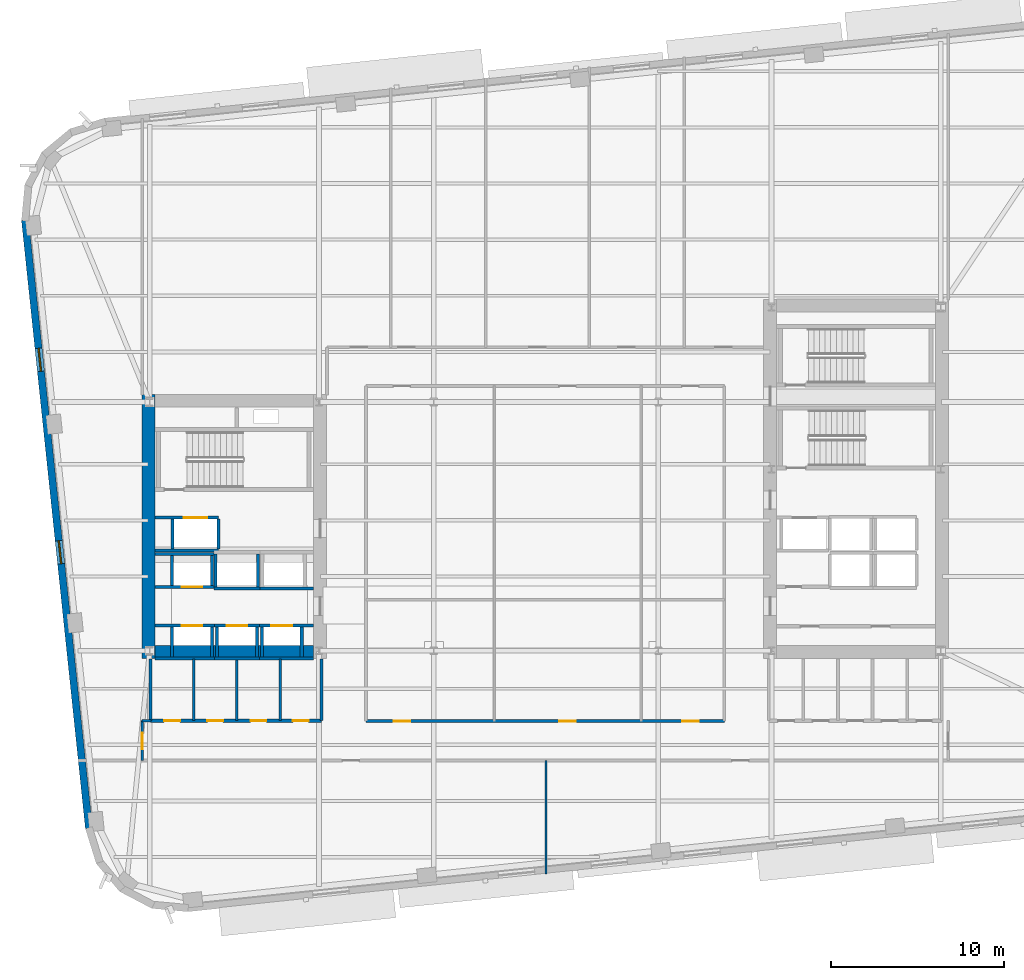
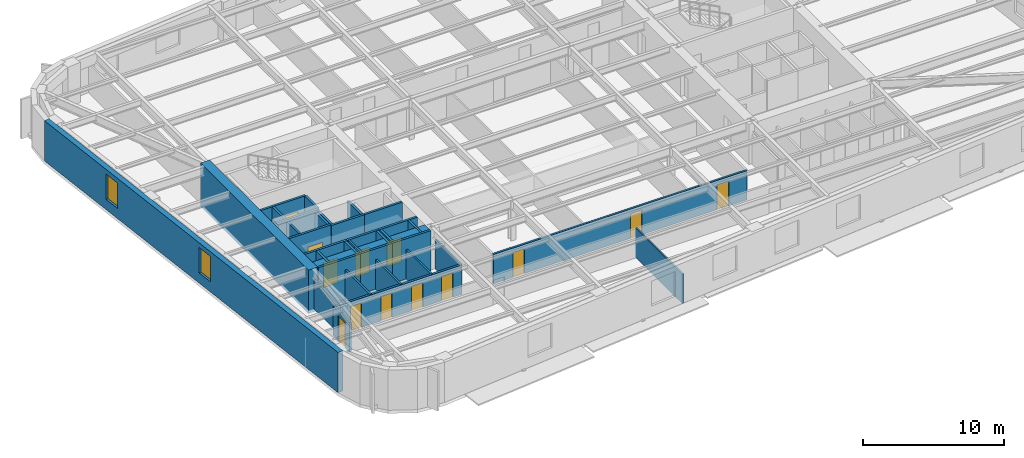
# One storey, part 4 of 15: 37 walls, 13 doors, 2 windows, 15 openings.
"""IFC4 building model written with IfcOpenShell, lengths in metres."""

from ifc_helpers import new_model, si_unit, direction, frame, frame_2d, origin, place, context, subcontext, project, spatial, rectangle, extrude, material, layer, layer_set, type_object, element, fill, save


model = new_model("IFC4")

# Units and contexts
model_context = context("Model", 3, precision=1e-05, world=origin(), true_north=direction((0.0, 1.0)))
body_context = subcontext(model_context, "Body", "Model", "MODEL_VIEW")
ifc_project = project(units=[si_unit("LENGTHUNIT", "METRE"), si_unit("AREAUNIT", "SQUARE_METRE"), si_unit("VOLUMEUNIT", "CUBIC_METRE"), si_unit("PLANEANGLEUNIT", "RADIAN"), si_unit("MASSUNIT", "GRAM", prefix="KILO")], contexts=[model_context])

# Site, building, storey
site_placement = place(None, origin())
site = spatial("IfcSite", under=ifc_project, at=site_placement, CompositionType="ELEMENT")
building_placement = place(site_placement, origin())
building = spatial("IfcBuilding", under=site, at=building_placement, Name="Kolvaren Arena Tower", CompositionType="ELEMENT")
storey_placement = place(building_placement, frame((0.0, 0.0, 142.0)))
storey = spatial("IfcBuildingStorey", under=building, at=storey_placement, Name="L33", CompositionType="ELEMENT", Elevation=142.0)

# Wall, openings, doors
ifc_material_1 = material(Name="Gypsum board acoustic assembly", Category="gypsum")
ifc_layer_1 = layer(ifc_material_1, 0.159912109375)
ifc_layer_set_1 = layer_set([ifc_layer_1], Name="Gypsum board acoustic assembly")
wall_type_1 = type_object("IfcWallType", Name="CORR-160", PredefinedType="PARTITIONING", material=ifc_layer_set_1)
wall_1_placement = place(storey_placement, frame((27.080078125, 15.3798828125, 0.0), z_axis=(0.0, 0.0, 1.0), x_axis=(1.0, 0.0, 0.0)))
wall_1 = element("IfcWall", 1, at=wall_1_placement, inside=storey, type_object=wall_type_1, Name="Interior Partition Wall (L33)", PredefinedType="PARTITIONING", context=body_context, shape_type="SweptSolid", body=[
    extrude(rectangle(XDim=20.739990234375, YDim=0.159912109375, at=frame_2d((10.3701171875, 0.0))), origin(), (0.0, 0.0, 1.0), 2.5400390625),
])
opening_1_placement = place(wall_1_placement, frame((1.594970703125, 0.0, 0.0)))
opening_1 = element("IfcOpeningElement", 2, at=opening_1_placement, cuts=wall_1, Name="Opening D05", PredefinedType="OPENING", context=body_context, shape_type="SweptSolid", body=[
    extrude(rectangle(XDim=0.949951171875, YDim=2.14990234375, at=frame_2d((0.47509765625, 1.074951171875))), frame((0.0, 0.08984375, 0.0), z_axis=(0.0, -1.0, 0.0), x_axis=(1.0, 0.0, 0.0)), (0.0, 0.0, 1.0), 0.179931640625),
])
opening_2_placement = place(wall_1_placement, frame((11.195068359375, 0.0, 0.0)))
opening_2 = element("IfcOpeningElement", 3, at=opening_2_placement, cuts=wall_1, Name="Opening D05", PredefinedType="OPENING", context=body_context, shape_type="SweptSolid", body=[
    extrude(rectangle(XDim=0.949951171875, YDim=2.14990234375, at=frame_2d((0.47509765625, 1.074951171875))), frame((0.0, 0.08984375, 0.0), z_axis=(0.0, -1.0, 0.0), x_axis=(1.0, 0.0, 0.0)), (0.0, 0.0, 1.0), 0.179931640625),
])
opening_3_placement = place(wall_1_placement, frame((18.294921875, 0.0, 0.0)))
opening_3 = element("IfcOpeningElement", 4, at=opening_3_placement, cuts=wall_1, Name="Opening D05", PredefinedType="OPENING", context=body_context, shape_type="SweptSolid", body=[
    extrude(rectangle(XDim=0.949951171875, YDim=2.14990234375, at=frame_2d((0.47509765625, 1.074951171875))), frame((0.0, 0.08984375, 0.0), z_axis=(0.0, -1.0, 0.0), x_axis=(1.0, 0.0, 0.0)), (0.0, 0.0, 1.0), 0.179931640625),
])
ifc_material_2 = material(Name="Solid-core oak acoustic office door", Category="wood")
door_type_1 = type_object("IfcDoorType", Name="DOOR-OF-095", OperationType="NOTDEFINED", PredefinedType="DOOR", material=ifc_material_2)
door_1_placement = place(opening_1_placement, origin())
door_1 = element("IfcDoor", 5, at=door_1_placement, inside=storey, type_object=door_type_1, Name="Wellness Room Door (L33)", OperationType="SINGLE_SWING_LEFT", OverallHeight=2.14990234375, OverallWidth=0.949951171875, PredefinedType="DOOR", context=body_context, shape_type="SweptSolid", body=[
    extrude(rectangle(XDim=0.949951171875, YDim=2.14990234375, at=frame_2d((0.47509765625, 1.074951171875))), frame((0.0, 0.02490234375, 0.0), z_axis=(0.0, -1.0, 0.0), x_axis=(1.0, 0.0, 0.0)), (0.0, 0.0, 1.0), 0.050048828125),
])
fill(opening_1, door_1)
door_2_placement = place(opening_2_placement, origin())
door_2 = element("IfcDoor", 6, at=door_2_placement, inside=storey, type_object=door_type_1, Name="Boardroom Door (L33)", OperationType="SINGLE_SWING_LEFT", OverallHeight=2.14990234375, OverallWidth=0.949951171875, PredefinedType="DOOR", context=body_context, shape_type="SweptSolid", body=[
    extrude(rectangle(XDim=0.949951171875, YDim=2.14990234375, at=frame_2d((0.47509765625, 1.074951171875))), frame((0.0, 0.02490234375, 0.0), z_axis=(0.0, -1.0, 0.0), x_axis=(1.0, 0.0, 0.0)), (0.0, 0.0, 1.0), 0.050048828125),
])
fill(opening_2, door_2)
door_3_placement = place(opening_3_placement, origin())
door_3 = element("IfcDoor", 7, at=door_3_placement, inside=storey, type_object=door_type_1, Name="Executive Office Door (L33)", OperationType="SINGLE_SWING_LEFT", OverallHeight=2.14990234375, OverallWidth=0.949951171875, PredefinedType="DOOR", context=body_context, shape_type="SweptSolid", body=[
    extrude(rectangle(XDim=0.949951171875, YDim=2.14990234375, at=frame_2d((0.47509765625, 1.074951171875))), frame((0.0, 0.02490234375, 0.0), z_axis=(0.0, -1.0, 0.0), x_axis=(1.0, 0.0, 0.0)), (0.0, 0.0, 1.0), 0.050048828125),
])
fill(opening_3, door_3)

# Wall, opening, door
wall_2_placement = place(storey_placement, frame((14.1201171875, 13.10009765625, 0.0), z_axis=(0.0, 0.0, 1.0), x_axis=(0.0, 1.0, 0.0)))
wall_2 = element("IfcWall", 8, at=wall_2_placement, inside=storey, type_object=wall_type_1, Name="Interior Partition Wall (L33)", PredefinedType="PARTITIONING", context=body_context, shape_type="SweptSolid", body=[
    extrude(rectangle(XDim=2.2998046875, YDim=0.159912109375, at=frame_2d((1.14990234375, 0.0))), origin(), (0.0, 0.0, 1.0), 2.5400390625),
])
opening_4_placement = place(wall_2_placement, frame((0.64990234375, 0.0, 0.0)))
opening_4 = element("IfcOpeningElement", 9, at=opening_4_placement, cuts=wall_2, Name="Opening D05", PredefinedType="OPENING", context=body_context, shape_type="SweptSolid", body=[
    extrude(rectangle(XDim=0.949951171875, YDim=2.14990234375, at=frame_2d((0.47509765625, 1.074951171875))), frame((0.0, 0.08984375, 0.0), z_axis=(0.0, -1.0, 0.0), x_axis=(1.0, 0.0, 0.0)), (0.0, 0.0, 1.0), 0.179931640625),
])
door_4_placement = place(opening_4_placement, origin())
door_4 = element("IfcDoor", 10, at=door_4_placement, inside=storey, type_object=door_type_1, Name="West Wing Office Door (L33)", OperationType="SINGLE_SWING_LEFT", OverallHeight=2.14990234375, OverallWidth=0.949951171875, PredefinedType="DOOR", context=body_context, shape_type="SweptSolid", body=[
    extrude(rectangle(XDim=0.949951171875, YDim=2.14990234375, at=frame_2d((0.47509765625, 1.074951171875))), frame((0.0, 0.02490234375, 0.0), z_axis=(0.0, -1.0, 0.0), x_axis=(1.0, 0.0, 0.0)), (0.0, 0.0, 1.0), 0.050048828125),
])
fill(opening_4, door_4)

# Walls
wall_3_placement = place(storey_placement, frame((14.1201171875, 15.39990234375, 0.0), z_axis=(0.0, 0.0, 1.0), x_axis=(1.0, 0.0, 0.0)))
element("IfcWall", 11, at=wall_3_placement, inside=storey, type_object=wall_type_1, Name="Interior Partition Wall (L33)", PredefinedType="PARTITIONING", context=body_context, shape_type="SweptSolid", body=[
    extrude(rectangle(XDim=0.5, YDim=0.159912109375, at=frame_2d((0.25, 0.0))), origin(), (0.0, 0.0, 1.0), 2.5400390625),
])
ifc_material_3 = material(Name="Concrete 70 MPa", Category="concrete")
ifc_layer_2 = layer(ifc_material_3, 0.75)
ifc_layer_set_2 = layer_set([ifc_layer_2], Name="Concrete 70 MPa")
wall_type_2 = type_object("IfcWallType", Name="CWALL-750", PredefinedType="SHEAR", material=ifc_layer_set_2)
wall_4_placement = place(storey_placement, frame((14.47509765625, 19.0, -0.27001953125), z_axis=(0.0, 0.0, 1.0), x_axis=(0.0, 1.0, 0.0)))
element("IfcWall", 12, at=wall_4_placement, inside=storey, type_object=wall_type_2, Name="Core Shear Wall WC-WEST (L33)", PredefinedType="SHEAR", context=body_context, shape_type="SweptSolid", body=[
    extrude(rectangle(XDim=15.300048828125, YDim=0.75, at=frame_2d((7.64990234375, 0.0))), origin(), (0.0, 0.0, 1.0), 3.75),
])
wall_5_placement = place(storey_placement, frame((14.85009765625, 19.375, -0.27001953125), z_axis=(0.0, 0.0, 1.0), x_axis=(1.0, 0.0, 0.0)))
element("IfcWall", 13, at=wall_5_placement, inside=storey, type_object=wall_type_2, Name="Core Shear Wall WC-SOUTH (L33)", PredefinedType="SHEAR", context=body_context, shape_type="SweptSolid", body=[
    extrude(rectangle(XDim=9.199951171875, YDim=0.75, at=frame_2d((4.60009765625, 0.0))), origin(), (0.0, 0.0, 1.0), 3.75),
])

# Wall, openings, windows
ifc_material_4 = material(Name="Precast concrete C50/60", Category="concrete")
ifc_layer_3 = layer(ifc_material_4, 0.419921875)
ifc_layer_set_3 = layer_set([ifc_layer_3], Name="Precast concrete C50/60")
wall_type_3 = type_object("IfcWallType", Name="EXT-PIER1", PredefinedType="SOLIDWALL", material=ifc_layer_set_3)
wall_6_placement = place(storey_placement, frame((11.039794921875, 9.16943359375, 0.0), z_axis=(0.0, 0.0, 1.0), x_axis=(-0.104532207177, 0.99452150186, 0.0)))
wall_6 = element("IfcWall", 14, at=wall_6_placement, inside=storey, type_object=wall_type_3, Name="Exterior Precast Masonry-Frame Wall (L33)", PredefinedType="SOLIDWALL", context=body_context, shape_type="SweptSolid", body=[
    extrude(rectangle(XDim=35.39990234375, YDim=0.419921875, at=frame_2d((17.699951171875, 0.0))), origin(), (0.0, 0.0, 1.0), 3.47998046875),
])
opening_5_placement = place(wall_6_placement, frame((15.39990234375, 0.0, 0.8798828125)))
opening_5 = element("IfcOpeningElement", 15, at=opening_5_placement, cuts=wall_6, Name="Opening W04", PredefinedType="OPENING", context=body_context, shape_type="SweptSolid", body=[
    extrude(rectangle(XDim=1.35009765625, YDim=2.199951171875, at=frame_2d((0.675048828125, 1.10009765625))), frame((0.0, 0.219970703125, 0.0), z_axis=(0.0, -1.0, 0.0), x_axis=(1.0, 0.0, 0.0)), (0.0, 0.0, 1.0), 0.43994140625),
])
opening_6_placement = place(wall_6_placement, frame((26.60009765625, 0.0, 0.8798828125)))
opening_6 = element("IfcOpeningElement", 16, at=opening_6_placement, cuts=wall_6, Name="Opening W04", PredefinedType="OPENING", context=body_context, shape_type="SweptSolid", body=[
    extrude(rectangle(XDim=1.35009765625, YDim=2.199951171875, at=frame_2d((0.675048828125, 1.10009765625))), frame((0.0, 0.219970703125, 0.0), z_axis=(0.0, -1.0, 0.0), x_axis=(1.0, 0.0, 0.0)), (0.0, 0.0, 1.0), 0.43994140625),
])
ifc_material_5 = material(Name="Triple-glazed curved-facet corner window", Category="glass")
window_type = type_object("IfcWindowType", Name="WIN-CRN-A", PartitioningType="SINGLE_PANEL", PredefinedType="WINDOW", material=ifc_material_5)
window_1_placement = place(opening_5_placement, origin())
window_1 = element("IfcWindow", 17, at=window_1_placement, inside=storey, type_object=window_type, Name="End-Wall Punched Window (L33)", OverallHeight=2.199951171875, OverallWidth=1.35009765625, PartitioningType="SINGLE_PANEL", PredefinedType="WINDOW", context=body_context, shape_type="SweptSolid", body=[
    extrude(rectangle(XDim=1.35009765625, YDim=2.199951171875, at=frame_2d((0.675048828125, 1.10009765625))), frame((0.0, 0.030029296875, 0.0), z_axis=(0.0, -1.0, 0.0), x_axis=(1.0, 0.0, 0.0)), (0.0, 0.0, 1.0), 0.06005859375),
])
fill(opening_5, window_1)
window_2_placement = place(opening_6_placement, origin())
window_2 = element("IfcWindow", 18, at=window_2_placement, inside=storey, type_object=window_type, Name="End-Wall Punched Window (L33)", OverallHeight=2.199951171875, OverallWidth=1.35009765625, PartitioningType="SINGLE_PANEL", PredefinedType="WINDOW", context=body_context, shape_type="SweptSolid", body=[
    extrude(rectangle(XDim=1.35009765625, YDim=2.199951171875, at=frame_2d((0.675048828125, 1.10009765625))), frame((0.0, 0.030029296875, 0.0), z_axis=(0.0, -1.0, 0.0), x_axis=(1.0, 0.0, 0.0)), (0.0, 0.0, 1.0), 0.06005859375),
])
fill(opening_6, window_2)

# Wall
ifc_material_6 = material(Name="Gypsum board partition assembly", Category="gypsum")
ifc_layer_4 = layer(ifc_material_6, 0.135009765625)
ifc_layer_set_4 = layer_set([ifc_layer_4], Name="Gypsum board partition assembly")
wall_type_4 = type_object("IfcWallType", Name="PART-135", PredefinedType="PARTITIONING", material=ifc_layer_set_4)
wall_7_placement = place(storey_placement, frame((37.5, 6.520751953125, 0.0), z_axis=(0.0, 0.0, 1.0), x_axis=(0.0, 1.0, 0.0)))
element("IfcWall", 19, at=wall_7_placement, inside=storey, type_object=wall_type_4, Name="Interior Partition Wall (L33)", PredefinedType="PARTITIONING", context=body_context, shape_type="SweptSolid", body=[
    extrude(rectangle(XDim=6.579345703125, YDim=0.135009765625, at=frame_2d((3.28955078125, 0.0))), origin(), (0.0, 0.0, 1.0), 2.5400390625),
])

# Wall, opening, door
ifc_material_7 = material(Name="Concrete 45 MPa", Category="concrete")
ifc_layer_5 = layer(ifc_material_7, 0.25)
ifc_layer_set_5 = layer_set([ifc_layer_5], Name="Concrete 45 MPa")
wall_type_5 = type_object("IfcWallType", Name="SHAFT-250", PredefinedType="SOLIDWALL", material=ifc_layer_set_5)
wall_8_placement = place(storey_placement, frame((14.85009765625, 20.905029296875, 0.0), z_axis=(0.0, 0.0, 1.0), x_axis=(1.0, 0.0, 0.0)))
wall_8 = element("IfcWall", 20, at=wall_8_placement, inside=storey, type_object=wall_type_5, Name="Core Shaft Wall (L33)", PredefinedType="SOLIDWALL", context=body_context, shape_type="SweptSolid", body=[
    extrude(rectangle(XDim=3.449951171875, YDim=0.179931640625, at=frame_2d((1.72509765625, 0.0))), origin(), (0.0, 0.0, 1.0), 3.47998046875),
])
opening_7_placement = place(wall_8_placement, frame((1.550048828125, 0.0, 0.0)))
opening_7 = element("IfcOpeningElement", 21, at=opening_7_placement, cuts=wall_8, Name="Opening LD1", PredefinedType="OPENING", context=body_context, shape_type="SweptSolid", body=[
    extrude(rectangle(XDim=1.199951171875, YDim=2.199951171875, at=frame_2d((0.60009765625, 1.10009765625))), frame((0.0, 0.099853515625, 0.0), z_axis=(0.0, -1.0, 0.0), x_axis=(1.0, 0.0, 0.0)), (0.0, 0.0, 1.0), 0.199951171875),
])
ifc_material_8 = material(Name="Stainless steel passenger lift landing door", Category="steel")
door_type_2 = type_object("IfcDoorType", Name="DOOR-LD-120", OperationType="DOUBLE_DOOR_SLIDING", PredefinedType="DOOR", material=ifc_material_8)
door_5_placement = place(opening_7_placement, origin())
door_5 = element("IfcDoor", 22, at=door_5_placement, inside=storey, type_object=door_type_2, Name="Lift EL-MR1 Landing Door (L33)", OperationType="DOUBLE_DOOR_SLIDING", OverallHeight=2.199951171875, OverallWidth=1.199951171875, PredefinedType="DOOR", context=body_context, shape_type="SweptSolid", body=[
    extrude(rectangle(XDim=1.199951171875, YDim=2.199951171875, at=frame_2d((0.60009765625, 1.10009765625))), frame((0.0, 0.02490234375, 0.0), z_axis=(0.0, -1.0, 0.0), x_axis=(1.0, 0.0, 0.0)), (0.0, 0.0, 1.0), 0.050048828125),
])
fill(opening_7, door_5)

# Walls
wall_9_placement = place(storey_placement, frame((14.85009765625, 18.9951171875, 0.0), z_axis=(0.0, 0.0, 1.0), x_axis=(1.0, 0.0, 0.0)))
element("IfcWall", 23, at=wall_9_placement, inside=storey, type_object=wall_type_5, Name="Core Shaft Wall (L33)", PredefinedType="SOLIDWALL", context=body_context, shape_type="SweptSolid", body=[
    extrude(rectangle(XDim=3.449951171875, YDim=0.179931640625, at=frame_2d((1.72509765625, 0.0))), origin(), (0.0, 0.0, 1.0), 3.47998046875),
])
for number, where, z_axis, x_axis, name in (
    (24, (15.844970703125, 19.0849609375, 0.0), (0.0, 0.0, 1.0), (0.0, 1.0, 0.0), "Core Shaft Wall (L33)"),
    (25, (18.155029296875, 19.0849609375, 0.0), (0.0, 0.0, 1.0), (0.0, 1.0, 0.0), "Core Shaft Wall (L33)"),
):
    element("IfcWall", number, at=place(storey_placement, frame(where, z_axis=z_axis, x_axis=x_axis)), inside=storey, type_object=wall_type_5, Name=name, PredefinedType="SOLIDWALL", context=body_context, shape_type="SweptSolid", body=[
        extrude(rectangle(XDim=1.72998046875, YDim=0.179931640625, at=frame_2d((0.864990234375, 0.0))), origin(), (0.0, 0.0, 1.0), 3.47998046875),
    ])

# Wall, opening, door
wall_10_placement = place(storey_placement, frame((18.300048828125, 20.905029296875, 0.0), z_axis=(0.0, 0.0, 1.0), x_axis=(1.0, 0.0, 0.0)))
wall_10 = element("IfcWall", 26, at=wall_10_placement, inside=storey, type_object=wall_type_5, Name="Core Shaft Wall (L33)", PredefinedType="SOLIDWALL", context=body_context, shape_type="SweptSolid", body=[
    extrude(rectangle(XDim=2.599853515625, YDim=0.179931640625, at=frame_2d((1.2998046875, 0.0))), origin(), (0.0, 0.0, 1.0), 3.47998046875),
])
opening_8_placement = place(wall_10_placement, frame((0.699951171875, 0.0, 0.0)))
opening_8 = element("IfcOpeningElement", 27, at=opening_8_placement, cuts=wall_10, Name="Opening LD1", PredefinedType="OPENING", context=body_context, shape_type="SweptSolid", body=[
    extrude(rectangle(XDim=1.199951171875, YDim=2.199951171875, at=frame_2d((0.60009765625, 1.10009765625))), frame((0.0, 0.099853515625, 0.0), z_axis=(0.0, -1.0, 0.0), x_axis=(1.0, 0.0, 0.0)), (0.0, 0.0, 1.0), 0.199951171875),
])
door_6_placement = place(opening_8_placement, origin())
door_6 = element("IfcDoor", 28, at=door_6_placement, inside=storey, type_object=door_type_2, Name="Lift EL-MR2 Landing Door (L33)", OperationType="DOUBLE_DOOR_SLIDING", OverallHeight=2.199951171875, OverallWidth=1.199951171875, PredefinedType="DOOR", context=body_context, shape_type="SweptSolid", body=[
    extrude(rectangle(XDim=1.199951171875, YDim=2.199951171875, at=frame_2d((0.60009765625, 1.10009765625))), frame((0.0, 0.02490234375, 0.0), z_axis=(0.0, -1.0, 0.0), x_axis=(1.0, 0.0, 0.0)), (0.0, 0.0, 1.0), 0.050048828125),
])
fill(opening_8, door_6)

# Walls
wall_11_placement = place(storey_placement, frame((18.300048828125, 18.9951171875, 0.0), z_axis=(0.0, 0.0, 1.0), x_axis=(1.0, 0.0, 0.0)))
element("IfcWall", 29, at=wall_11_placement, inside=storey, type_object=wall_type_5, Name="Core Shaft Wall (L33)", PredefinedType="SOLIDWALL", context=body_context, shape_type="SweptSolid", body=[
    extrude(rectangle(XDim=2.599853515625, YDim=0.179931640625, at=frame_2d((1.2998046875, 0.0))), origin(), (0.0, 0.0, 1.0), 3.47998046875),
])
for number, where, z_axis, x_axis, name in (
    (30, (18.445068359375, 19.0849609375, 0.0), (0.0, 0.0, 1.0), (0.0, 1.0, 0.0), "Core Shaft Wall (L33)"),
    (31, (20.7548828125, 19.0849609375, 0.0), (0.0, 0.0, 1.0), (0.0, 1.0, 0.0), "Core Shaft Wall (L33)"),
):
    element("IfcWall", number, at=place(storey_placement, frame(where, z_axis=z_axis, x_axis=x_axis)), inside=storey, type_object=wall_type_5, Name=name, PredefinedType="SOLIDWALL", context=body_context, shape_type="SweptSolid", body=[
        extrude(rectangle(XDim=1.72998046875, YDim=0.179931640625, at=frame_2d((0.864990234375, 0.0))), origin(), (0.0, 0.0, 1.0), 3.47998046875),
    ])

# Wall, opening, door
wall_12_placement = place(storey_placement, frame((20.89990234375, 20.905029296875, 0.0), z_axis=(0.0, 0.0, 1.0), x_axis=(1.0, 0.0, 0.0)))
wall_12 = element("IfcWall", 32, at=wall_12_placement, inside=storey, type_object=wall_type_5, Name="Core Shaft Wall (L33)", PredefinedType="SOLIDWALL", context=body_context, shape_type="SweptSolid", body=[
    extrude(rectangle(XDim=3.150146484375, YDim=0.179931640625, at=frame_2d((1.5751953125, 0.0))), origin(), (0.0, 0.0, 1.0), 3.47998046875),
])
opening_9_placement = place(wall_12_placement, frame((0.699951171875, 0.0, 0.0)))
opening_9 = element("IfcOpeningElement", 33, at=opening_9_placement, cuts=wall_12, Name="Opening LD1", PredefinedType="OPENING", context=body_context, shape_type="SweptSolid", body=[
    extrude(rectangle(XDim=1.199951171875, YDim=2.199951171875, at=frame_2d((0.60009765625, 1.10009765625))), frame((0.0, 0.099853515625, 0.0), z_axis=(0.0, -1.0, 0.0), x_axis=(1.0, 0.0, 0.0)), (0.0, 0.0, 1.0), 0.199951171875),
])
door_7_placement = place(opening_9_placement, origin())
door_7 = element("IfcDoor", 34, at=door_7_placement, inside=storey, type_object=door_type_2, Name="Lift EL-MR3 Landing Door (L33)", OperationType="DOUBLE_DOOR_SLIDING", OverallHeight=2.199951171875, OverallWidth=1.199951171875, PredefinedType="DOOR", context=body_context, shape_type="SweptSolid", body=[
    extrude(rectangle(XDim=1.199951171875, YDim=2.199951171875, at=frame_2d((0.60009765625, 1.10009765625))), frame((0.0, 0.02490234375, 0.0), z_axis=(0.0, -1.0, 0.0), x_axis=(1.0, 0.0, 0.0)), (0.0, 0.0, 1.0), 0.050048828125),
])
fill(opening_9, door_7)

# Walls
wall_13_placement = place(storey_placement, frame((20.89990234375, 18.9951171875, 0.0), z_axis=(0.0, 0.0, 1.0), x_axis=(1.0, 0.0, 0.0)))
element("IfcWall", 35, at=wall_13_placement, inside=storey, type_object=wall_type_5, Name="Core Shaft Wall (L33)", PredefinedType="SOLIDWALL", context=body_context, shape_type="SweptSolid", body=[
    extrude(rectangle(XDim=3.150146484375, YDim=0.179931640625, at=frame_2d((1.5751953125, 0.0))), origin(), (0.0, 0.0, 1.0), 3.47998046875),
])
for number, where, z_axis, x_axis, name in (
    (36, (21.044921875, 19.0849609375, 0.0), (0.0, 0.0, 1.0), (0.0, 1.0, 0.0), "Core Shaft Wall (L33)"),
    (37, (23.35498046875, 19.0849609375, 0.0), (0.0, 0.0, 1.0), (0.0, 1.0, 0.0), "Core Shaft Wall (L33)"),
):
    element("IfcWall", number, at=place(storey_placement, frame(where, z_axis=z_axis, x_axis=x_axis)), inside=storey, type_object=wall_type_5, Name=name, PredefinedType="SOLIDWALL", context=body_context, shape_type="SweptSolid", body=[
        extrude(rectangle(XDim=1.72998046875, YDim=0.179931640625, at=frame_2d((0.864990234375, 0.0))), origin(), (0.0, 0.0, 1.0), 3.47998046875),
    ])
wall_14_placement = place(storey_placement, frame((14.85009765625, 25.054931640625, 0.0), z_axis=(0.0, 0.0, 1.0), x_axis=(1.0, 0.0, 0.0)))
element("IfcWall", 38, at=wall_14_placement, inside=storey, type_object=wall_type_5, Name="Core Shaft Wall (L33)", PredefinedType="SOLIDWALL", context=body_context, shape_type="SweptSolid", body=[
    extrude(rectangle(XDim=3.412353515625, YDim=0.179931640625, at=frame_2d((1.7060546875, 0.0))), origin(), (0.0, 0.0, 1.0), 3.47998046875),
])

# Wall, opening, door
wall_15_placement = place(storey_placement, frame((14.85009765625, 23.14501953125, 0.0), z_axis=(0.0, 0.0, 1.0), x_axis=(1.0, 0.0, 0.0)))
wall_15 = element("IfcWall", 39, at=wall_15_placement, inside=storey, type_object=wall_type_5, Name="Core Shaft Wall (L33)", PredefinedType="SOLIDWALL", context=body_context, shape_type="SweptSolid", body=[
    extrude(rectangle(XDim=3.412353515625, YDim=0.179931640625, at=frame_2d((1.7060546875, 0.0))), origin(), (0.0, 0.0, 1.0), 3.47998046875),
])
opening_10_placement = place(wall_15_placement, frame((1.550048828125, 0.0, 0.0)))
opening_10 = element("IfcOpeningElement", 40, at=opening_10_placement, cuts=wall_15, Name="Opening LD1", PredefinedType="OPENING", context=body_context, shape_type="SweptSolid", body=[
    extrude(rectangle(XDim=1.199951171875, YDim=2.199951171875, at=frame_2d((0.60009765625, 1.10009765625))), frame((0.0, 0.099853515625, 0.0), z_axis=(0.0, -1.0, 0.0), x_axis=(1.0, 0.0, 0.0)), (0.0, 0.0, 1.0), 0.199951171875),
])
door_8_placement = place(opening_10_placement, origin())
door_8 = element("IfcDoor", 41, at=door_8_placement, inside=storey, type_object=door_type_2, Name="Lift EL-MR4 Landing Door (L33)", OperationType="DOUBLE_DOOR_SLIDING", OverallHeight=2.199951171875, OverallWidth=1.199951171875, PredefinedType="DOOR", context=body_context, shape_type="SweptSolid", body=[
    extrude(rectangle(XDim=1.199951171875, YDim=2.199951171875, at=frame_2d((0.60009765625, 1.10009765625))), frame((0.0, 0.02490234375, 0.0), z_axis=(0.0, -1.0, 0.0), x_axis=(1.0, 0.0, 0.0)), (0.0, 0.0, 1.0), 0.050048828125),
])
fill(opening_10, door_8)

# Walls
for number, where, z_axis, x_axis, name in (
    (42, (15.844970703125, 23.235107421875, 0.0), (0.0, 0.0, 1.0), (0.0, 1.0, 0.0), "Core Shaft Wall (L33)"),
    (43, (18.155029296875, 23.235107421875, 0.0), (0.0, 0.0, 1.0), (0.0, 1.0, 0.0), "Core Shaft Wall (L33)"),
):
    element("IfcWall", number, at=place(storey_placement, frame(where, z_axis=z_axis, x_axis=x_axis)), inside=storey, type_object=wall_type_5, Name=name, PredefinedType="SOLIDWALL", context=body_context, shape_type="SweptSolid", body=[
        extrude(rectangle(XDim=1.72998046875, YDim=0.179931640625, at=frame_2d((0.864990234375, 0.0))), origin(), (0.0, 0.0, 1.0), 3.47998046875),
    ])
wall_16_placement = place(storey_placement, frame((18.262451171875, 23.044921875, 0.0), z_axis=(0.0, 0.0, 1.0), x_axis=(1.0, 0.0, 0.0)))
element("IfcWall", 44, at=wall_16_placement, inside=storey, type_object=wall_type_5, Name="Core Shaft Wall (L33)", PredefinedType="SOLIDWALL", context=body_context, shape_type="SweptSolid", body=[
    extrude(rectangle(XDim=2.6875, YDim=0.179931640625, at=frame_2d((1.34375, 0.0))), origin(), (0.0, 0.0, 1.0), 3.47998046875),
])
for number, where, z_axis, x_axis, name in (
    (45, (18.3701171875, 23.135009765625, 0.0), (0.0, 0.0, 1.0), (0.0, 1.0, 0.0), "Core Shaft Wall (L33)"),
    (46, (20.830078125, 23.135009765625, 0.0), (0.0, 0.0, 1.0), (0.0, 1.0, 0.0), "Core Shaft Wall (L33)"),
):
    element("IfcWall", number, at=place(storey_placement, frame(where, z_axis=z_axis, x_axis=x_axis)), inside=storey, type_object=wall_type_5, Name=name, PredefinedType="SOLIDWALL", context=body_context, shape_type="SweptSolid", body=[
        extrude(rectangle(XDim=1.929931640625, YDim=0.179931640625, at=frame_2d((0.96484375, 0.0))), origin(), (0.0, 0.0, 1.0), 3.47998046875),
    ])
wall_17_placement = place(storey_placement, frame((20.949951171875, 23.044921875, 0.0), z_axis=(0.0, 0.0, 1.0), x_axis=(1.0, 0.0, 0.0)))
element("IfcWall", 47, at=wall_17_placement, inside=storey, type_object=wall_type_5, Name="Core Shaft Wall (L33)", PredefinedType="SOLIDWALL", context=body_context, shape_type="SweptSolid", body=[
    extrude(rectangle(XDim=3.10009765625, YDim=0.179931640625, at=frame_2d((1.550048828125, 0.0))), origin(), (0.0, 0.0, 1.0), 3.47998046875),
])

# Wall, opening, door
wall_18_placement = place(storey_placement, frame((14.85009765625, 27.155029296875, 0.0), z_axis=(0.0, 0.0, 1.0), x_axis=(1.0, 0.0, 0.0)))
wall_18 = element("IfcWall", 48, at=wall_18_placement, inside=storey, type_object=wall_type_5, Name="Core Shaft Wall (L33)", PredefinedType="SOLIDWALL", context=body_context, shape_type="SweptSolid", body=[
    extrude(rectangle(XDim=3.679931640625, YDim=0.179931640625, at=frame_2d((1.83984375, 0.0))), origin(), (0.0, 0.0, 1.0), 3.47998046875),
])
opening_11_placement = place(wall_18_placement, frame((1.675048828125, 0.0, 0.0)))
opening_11 = element("IfcOpeningElement", 49, at=opening_11_placement, cuts=wall_18, Name="Opening LD2", PredefinedType="OPENING", context=body_context, shape_type="SweptSolid", body=[
    extrude(rectangle(XDim=1.35009765625, YDim=2.300048828125, at=frame_2d((0.675048828125, 1.14990234375))), frame((0.0, 0.099853515625, 0.0), z_axis=(0.0, -1.0, 0.0), x_axis=(1.0, 0.0, 0.0)), (0.0, 0.0, 1.0), 0.199951171875),
])
ifc_material_9 = material(Name="Stainless steel firefighter lift landing door", Category="steel")
door_type_3 = type_object("IfcDoorType", Name="DOOR-LD-135", OperationType="DOUBLE_DOOR_SLIDING", PredefinedType="DOOR", material=ifc_material_9)
door_9_placement = place(opening_11_placement, origin())
door_9 = element("IfcDoor", 50, at=door_9_placement, inside=storey, type_object=door_type_3, Name="Firefighter Lift FF-W1 Landing Door (L33)", OperationType="DOUBLE_DOOR_SLIDING", OverallHeight=2.300048828125, OverallWidth=1.35009765625, PredefinedType="DOOR", context=body_context, shape_type="SweptSolid", body=[
    extrude(rectangle(XDim=1.35009765625, YDim=2.300048828125, at=frame_2d((0.675048828125, 1.14990234375))), frame((0.0, 0.02490234375, 0.0), z_axis=(0.0, -1.0, 0.0), x_axis=(1.0, 0.0, 0.0)), (0.0, 0.0, 1.0), 0.050048828125),
])
fill(opening_11, door_9)

# Walls
wall_19_placement = place(storey_placement, frame((14.85009765625, 25.2451171875, 0.0), z_axis=(0.0, 0.0, 1.0), x_axis=(1.0, 0.0, 0.0)))
element("IfcWall", 51, at=wall_19_placement, inside=storey, type_object=wall_type_5, Name="Core Shaft Wall (L33)", PredefinedType="SOLIDWALL", context=body_context, shape_type="SweptSolid", body=[
    extrude(rectangle(XDim=3.679931640625, YDim=0.179931640625, at=frame_2d((1.83984375, 0.0))), origin(), (0.0, 0.0, 1.0), 3.47998046875),
])
for number, where, z_axis, x_axis, name in (
    (52, (15.8701171875, 25.3349609375, 0.0), (0.0, 0.0, 1.0), (0.0, 1.0, 0.0), "Core Shaft Wall (L33)"),
    (53, (18.530029296875, 25.3349609375, 0.0), (0.0, 0.0, 1.0), (0.0, 1.0, 0.0), "Core Shaft Wall (L33)"),
):
    element("IfcWall", number, at=place(storey_placement, frame(where, z_axis=z_axis, x_axis=x_axis)), inside=storey, type_object=wall_type_5, Name=name, PredefinedType="SOLIDWALL", context=body_context, shape_type="SweptSolid", body=[
        extrude(rectangle(XDim=1.72998046875, YDim=0.179931640625, at=frame_2d((0.864990234375, 0.0))), origin(), (0.0, 0.0, 1.0), 3.47998046875),
    ])
ifc_material_10 = material(Name="Moisture-resistant gypsum assembly", Category="gypsum")
ifc_layer_6 = layer(ifc_material_10, 0.14990234375)
ifc_layer_set_6 = layer_set([ifc_layer_6], Name="Moisture-resistant gypsum assembly")
wall_type_6 = type_object("IfcWallType", Name="WETW-150", PredefinedType="PARTITIONING", material=ifc_layer_set_6)
for number, where, z_axis, x_axis, name in (
    (54, (17.10009765625, 15.39990234375, 0.0), (0.0, 0.0, 1.0), (0.0, 1.0, 0.0), "Interior Partition Wall (L33)"),
    (55, (19.60009765625, 15.39990234375, 0.0), (0.0, 0.0, 1.0), (0.0, 1.0, 0.0), "Interior Partition Wall (L33)"),
    (56, (22.10009765625, 15.39990234375, 0.0), (0.0, 0.0, 1.0), (0.0, 1.0, 0.0), "Interior Partition Wall (L33)"),
):
    element("IfcWall", number, at=place(storey_placement, frame(where, z_axis=z_axis, x_axis=x_axis)), inside=storey, type_object=wall_type_6, Name=name, PredefinedType="PARTITIONING", context=body_context, shape_type="SweptSolid", body=[
        extrude(rectangle(XDim=3.580078125, YDim=0.14990234375, at=frame_2d((1.7900390625, 0.0))), origin(), (0.0, 0.0, 1.0), 2.5400390625),
    ])

# Wall, openings, doors
wall_20_placement = place(storey_placement, frame((14.60009765625, 15.39990234375, 0.0), z_axis=(0.0, 0.0, 1.0), x_axis=(1.0, 0.0, 0.0)))
wall_20 = element("IfcWall", 57, at=wall_20_placement, inside=storey, type_object=wall_type_6, Name="Interior Partition Wall (L33)", PredefinedType="PARTITIONING", context=body_context, shape_type="SweptSolid", body=[
    extrude(rectangle(XDim=9.89990234375, YDim=0.179931640625, at=frame_2d((4.949951171875, 0.0))), origin(), (0.0, 0.0, 1.0), 2.5400390625),
])
opening_12_placement = place(wall_20_placement, frame((0.7900390625, 0.0, 0.0)))
opening_12 = element("IfcOpeningElement", 58, at=opening_12_placement, cuts=wall_20, Name="Opening D07", PredefinedType="OPENING", context=body_context, shape_type="SweptSolid", body=[
    extrude(rectangle(XDim=0.919921875, YDim=2.10009765625, at=frame_2d((0.4599609375, 1.050048828125))), frame((0.0, 0.099853515625, 0.0), z_axis=(0.0, -1.0, 0.0), x_axis=(1.0, 0.0, 0.0)), (0.0, 0.0, 1.0), 0.199951171875),
])
opening_13_placement = place(wall_20_placement, frame((3.2900390625, 0.0, 0.0)))
opening_13 = element("IfcOpeningElement", 59, at=opening_13_placement, cuts=wall_20, Name="Opening D07", PredefinedType="OPENING", context=body_context, shape_type="SweptSolid", body=[
    extrude(rectangle(XDim=0.919921875, YDim=2.10009765625, at=frame_2d((0.4599609375, 1.050048828125))), frame((0.0, 0.099853515625, 0.0), z_axis=(0.0, -1.0, 0.0), x_axis=(1.0, 0.0, 0.0)), (0.0, 0.0, 1.0), 0.199951171875),
])
opening_14_placement = place(wall_20_placement, frame((5.7900390625, 0.0, 0.0)))
opening_14 = element("IfcOpeningElement", 60, at=opening_14_placement, cuts=wall_20, Name="Opening D07", PredefinedType="OPENING", context=body_context, shape_type="SweptSolid", body=[
    extrude(rectangle(XDim=0.919921875, YDim=2.10009765625, at=frame_2d((0.4599609375, 1.050048828125))), frame((0.0, 0.099853515625, 0.0), z_axis=(0.0, -1.0, 0.0), x_axis=(1.0, 0.0, 0.0)), (0.0, 0.0, 1.0), 0.199951171875),
])
opening_15_placement = place(wall_20_placement, frame((8.239990234375, 0.0, 0.0)))
opening_15 = element("IfcOpeningElement", 61, at=opening_15_placement, cuts=wall_20, Name="Opening D07", PredefinedType="OPENING", context=body_context, shape_type="SweptSolid", body=[
    extrude(rectangle(XDim=0.919921875, YDim=2.10009765625, at=frame_2d((0.4599609375, 1.050048828125))), frame((0.0, 0.099853515625, 0.0), z_axis=(0.0, -1.0, 0.0), x_axis=(1.0, 0.0, 0.0)), (0.0, 0.0, 1.0), 0.199951171875),
])
ifc_material_11 = material(Name="Laminate universal washroom door", Category="wood")
door_type_4 = type_object("IfcDoorType", Name="DOOR-WC-092", OperationType="NOTDEFINED", PredefinedType="DOOR", material=ifc_material_11)
door_10_placement = place(opening_12_placement, origin())
door_10 = element("IfcDoor", 62, at=door_10_placement, inside=storey, type_object=door_type_4, Name="Women Restroom Door (L33)", OperationType="SINGLE_SWING_LEFT", OverallHeight=2.10009765625, OverallWidth=0.919921875, PredefinedType="DOOR", context=body_context, shape_type="SweptSolid", body=[
    extrude(rectangle(XDim=0.919921875, YDim=2.10009765625, at=frame_2d((0.4599609375, 1.050048828125))), frame((0.0, 0.02490234375, 0.0), z_axis=(0.0, -1.0, 0.0), x_axis=(1.0, 0.0, 0.0)), (0.0, 0.0, 1.0), 0.050048828125),
])
fill(opening_12, door_10)
door_11_placement = place(opening_13_placement, origin())
door_11 = element("IfcDoor", 63, at=door_11_placement, inside=storey, type_object=door_type_4, Name="Men Restroom Door (L33)", OperationType="SINGLE_SWING_RIGHT", OverallHeight=2.10009765625, OverallWidth=0.919921875, PredefinedType="DOOR", context=body_context, shape_type="SweptSolid", body=[
    extrude(rectangle(XDim=0.919921875, YDim=2.10009765625, at=frame_2d((0.4599609375, 1.050048828125))), frame((0.0, 0.02490234375, 0.0), z_axis=(0.0, -1.0, 0.0), x_axis=(1.0, 0.0, 0.0)), (0.0, 0.0, 1.0), 0.050048828125),
])
fill(opening_13, door_11)
door_12_placement = place(opening_14_placement, origin())
door_12 = element("IfcDoor", 64, at=door_12_placement, inside=storey, type_object=door_type_4, Name="Universal Barrier-Free Washroom Door (L33)", OperationType="SINGLE_SWING_LEFT", OverallHeight=2.10009765625, OverallWidth=0.919921875, PredefinedType="DOOR", context=body_context, shape_type="SweptSolid", body=[
    extrude(rectangle(XDim=0.919921875, YDim=2.10009765625, at=frame_2d((0.4599609375, 1.050048828125))), frame((0.0, 0.02490234375, 0.0), z_axis=(0.0, -1.0, 0.0), x_axis=(1.0, 0.0, 0.0)), (0.0, 0.0, 1.0), 0.050048828125),
])
fill(opening_14, door_12)
door_13_placement = place(opening_15_placement, origin())
door_13 = element("IfcDoor", 65, at=door_13_placement, inside=storey, type_object=door_type_4, Name="Linen Store Door (L33)", OperationType="SINGLE_SWING_RIGHT", OverallHeight=2.10009765625, OverallWidth=0.919921875, PredefinedType="DOOR", context=body_context, shape_type="SweptSolid", body=[
    extrude(rectangle(XDim=0.919921875, YDim=2.10009765625, at=frame_2d((0.4599609375, 1.050048828125))), frame((0.0, 0.02490234375, 0.0), z_axis=(0.0, -1.0, 0.0), x_axis=(1.0, 0.0, 0.0)), (0.0, 0.0, 1.0), 0.050048828125),
])
fill(opening_15, door_13)

# Walls
for number, where, z_axis, x_axis, name in (
    (66, (14.60009765625, 15.39990234375, 0.0), (0.0, 0.0, 1.0), (0.0, 1.0, 0.0), "Interior Partition Wall (L33)"),
    (67, (24.5, 15.39990234375, 0.0), (0.0, 0.0, 1.0), (0.0, 1.0, 0.0), "Interior Partition Wall (L33)"),
):
    element("IfcWall", number, at=place(storey_placement, frame(where, z_axis=z_axis, x_axis=x_axis)), inside=storey, type_object=wall_type_6, Name=name, PredefinedType="PARTITIONING", context=body_context, shape_type="SweptSolid", body=[
        extrude(rectangle(XDim=3.580078125, YDim=0.14990234375, at=frame_2d((1.7900390625, 0.0))), origin(), (0.0, 0.0, 1.0), 2.5400390625),
    ])

save(model, "model.ifc")
